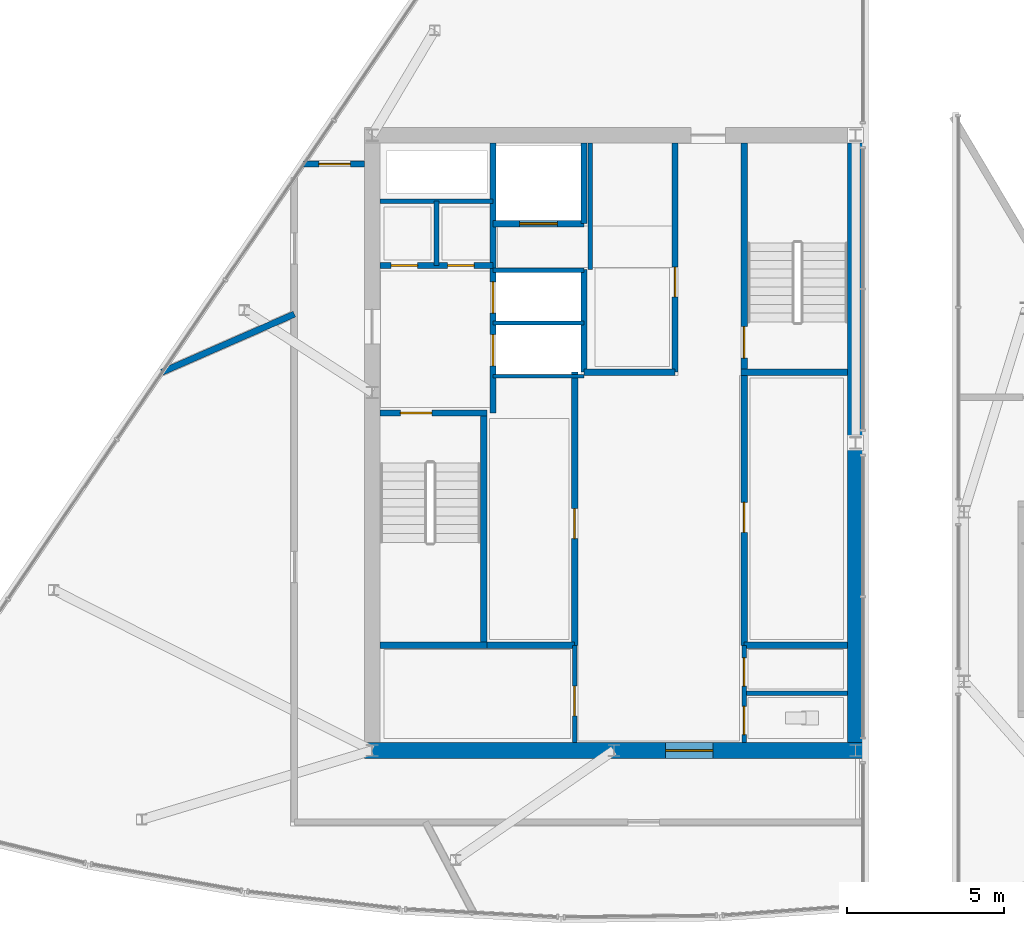
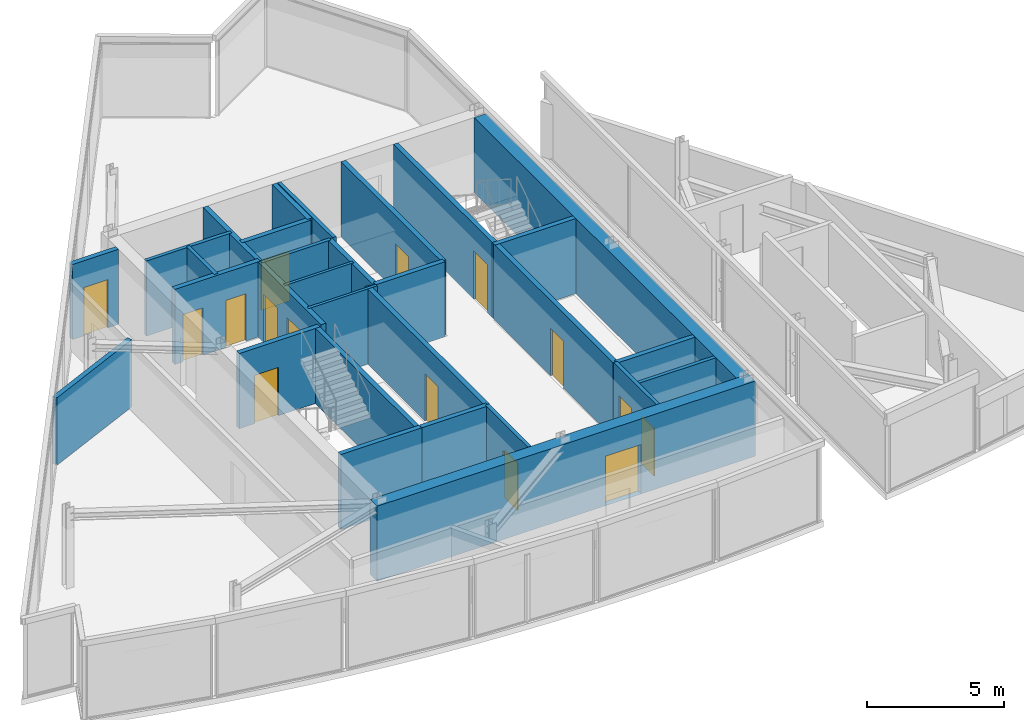
# One storey, part 8 of 13: 29 walls, 15 doors, 15 openings.
"""IFC4 building model written with IfcOpenShell, lengths in metres."""

from ifc_helpers import new_model, si_unit, direction, frame, frame_2d, origin, place, context, subcontext, project, spatial, rectangle, extrude, material, layer, layer_set, type_object, element, fill, save


model = new_model("IFC4")

# Units and contexts
model_context = context("Model", 3, precision=1e-05, world=origin(), true_north=direction((0.0, 1.0)))
body_context = subcontext(model_context, "Body", "Model", "MODEL_VIEW")
ifc_project = project(units=[si_unit("LENGTHUNIT", "METRE"), si_unit("AREAUNIT", "SQUARE_METRE"), si_unit("VOLUMEUNIT", "CUBIC_METRE"), si_unit("PLANEANGLEUNIT", "RADIAN"), si_unit("MASSUNIT", "GRAM", prefix="KILO")], contexts=[model_context])

# Site, building, storey
site_placement = place(None, origin())
site = spatial("IfcSite", under=ifc_project, at=site_placement, CompositionType="ELEMENT")
building_placement = place(site_placement, origin())
building = spatial("IfcBuilding", under=site, at=building_placement, Name="Savorim Split Tower", CompositionType="ELEMENT")
storey_placement = place(building_placement, frame((0.0, 0.0, 312.0)))
storey = spatial("IfcBuildingStorey", under=building, at=storey_placement, Name="Crown L83 Plant", CompositionType="ELEMENT", Elevation=312.0)

# Wall, opening, door
ifc_material_1 = material(Name="Concrete C60/75", Category="concrete")
ifc_layer_1 = layer(ifc_material_1, 0.5)
ifc_layer_set_1 = layer_set([ifc_layer_1], Name="WAL-COR-SH500")
wall_type_1 = type_object("IfcWallType", Name="WAL-COR-SH500", PredefinedType="SHEAR", material=ifc_layer_set_1)
wall_1_placement = place(storey_placement, frame((-7.949951171875, -9.39990234375, 0.0), z_axis=(0.0, 0.0, 1.0), x_axis=(1.0, 0.0, 0.0)))
wall_1 = element("IfcWall", 1, at=wall_1_placement, inside=storey, type_object=wall_type_1, Name="Crown L83 Plant Offset Core South Shear Wall", PredefinedType="SHEAR", context=body_context, shape_type="SweptSolid", body=[
    extrude(rectangle(XDim=15.89990234375, YDim=0.5, at=frame_2d((7.949951171875, 0.0))), origin(), (0.0, 0.0, 1.0), 3.340087890625),
])
opening_1_placement = place(wall_1_placement, frame((9.60009765625, 0.0, 0.0)))
opening_1 = element("IfcOpeningElement", 2, at=opening_1_placement, cuts=wall_1, Name="Opening DI-02", PredefinedType="OPENING", context=body_context, shape_type="SweptSolid", body=[
    extrude(rectangle(XDim=1.5, YDim=2.199951171875, at=frame_2d((0.75, 1.10009765625))), frame((0.0, 0.260009765625, 0.0), z_axis=(0.0, -1.0, 0.0), x_axis=(1.0, 0.0, 0.0)), (0.0, 0.0, 1.0), 0.52001953125),
])
ifc_material_2 = material(Name="Timber Fire Door Leaf", Category="wood")
door_type_1 = type_object("IfcDoorType", Name="DOR-DBL-1500", OperationType="NOTDEFINED", PredefinedType="DOOR", material=ifc_material_2)
door_1_placement = place(opening_1_placement, origin())
door_1 = element("IfcDoor", 3, at=door_1_placement, inside=storey, type_object=door_type_1, Name="DOR-Crown-L83-Plant-COR-LLOB - Crown L83 Plant Lift Lobby Main Rated Door", OperationType="DOUBLE_DOOR_SINGLE_SWING", OverallHeight=2.199951171875, OverallWidth=1.5, PredefinedType="DOOR", context=body_context, shape_type="SweptSolid", body=[
    extrude(rectangle(XDim=1.5, YDim=2.199951171875, at=frame_2d((0.75, 1.10009765625))), frame((0.0, 0.02490234375, 0.0), z_axis=(0.0, -1.0, 0.0), x_axis=(1.0, 0.0, 0.0)), (0.0, 0.0, 1.0), 0.050048828125),
])
fill(opening_1, door_1)

# Wall
wall_2_placement = place(storey_placement, frame((7.699951171875, 9.949951171875, 0.0), z_axis=(0.0, 0.0, 1.0), x_axis=(0.0, -1.0, 0.0)))
element("IfcWall", 4, at=wall_2_placement, inside=storey, type_object=wall_type_1, Name="Crown L83 Plant Offset Core East Shear Wall", PredefinedType="SHEAR", context=body_context, shape_type="SweptSolid", body=[
    extrude(rectangle(XDim=19.099853515625, YDim=0.5, at=frame_2d((9.5498046875, 0.0))), origin(), (0.0, 0.0, 1.0), 3.340087890625),
])

# Wall, opening, door
ifc_material_3 = material(Name="Concrete C50/60", Category="concrete")
ifc_layer_2 = layer(ifc_material_3, 0.199951171875)
ifc_layer_set_2 = layer_set([ifc_layer_2], Name="WAL-INT-RC200")
wall_type_2 = type_object("IfcWallType", Name="WAL-INT-RC200", PredefinedType="SOLIDWALL", material=ifc_layer_set_2)
wall_3_placement = place(storey_placement, frame((-7.449951171875, 1.35009765625, 0.0), z_axis=(0.0, 0.0, 1.0), x_axis=(1.0, 0.0, 0.0)))
wall_3 = element("IfcWall", 5, at=wall_3_placement, inside=storey, type_object=wall_type_2, Name="Crown L83 Plant Structural Shaft Wall W-Crown-L83-Plant-CR01", PredefinedType="SOLIDWALL", context=body_context, shape_type="SweptSolid", body=[
    extrude(rectangle(XDim=3.39990234375, YDim=0.199951171875, at=frame_2d((1.699951171875, 0.0))), origin(), (0.0, 0.0, 1.0), 3.340087890625),
])
opening_2_placement = place(wall_3_placement, frame((0.64990234375, 0.0, 0.0)))
opening_2 = element("IfcOpeningElement", 6, at=opening_2_placement, cuts=wall_3, Name="Opening DI-04", PredefinedType="OPENING", context=body_context, shape_type="SweptSolid", body=[
    extrude(rectangle(XDim=1.0, YDim=2.14990234375, at=frame_2d((0.5, 1.074951171875))), frame((0.0, 0.10986328125, 0.0), z_axis=(0.0, -1.0, 0.0), x_axis=(1.0, 0.0, 0.0)), (0.0, 0.0, 1.0), 0.219970703125),
])
door_type_2 = type_object("IfcDoorType", Name="DOR-FIR-1000", OperationType="NOTDEFINED", PredefinedType="DOOR", material=ifc_material_2)
door_2_placement = place(opening_2_placement, origin())
door_2 = element("IfcDoor", 7, at=door_2_placement, inside=storey, type_object=door_type_2, Name="DR-Crown-L83-Plant-ST1 - Crown L83 Plant Stair ST-1 Enclosure Door", OperationType="SINGLE_SWING_LEFT", OverallHeight=2.14990234375, OverallWidth=1.0, PredefinedType="DOOR", context=body_context, shape_type="SweptSolid", body=[
    extrude(rectangle(XDim=1.0, YDim=2.14990234375, at=frame_2d((0.5, 1.074951171875))), frame((0.0, 0.02490234375, 0.0), z_axis=(0.0, -1.0, 0.0), x_axis=(1.0, 0.0, 0.0)), (0.0, 0.0, 1.0), 0.050048828125),
])
fill(opening_2, door_2)

# Wall
wall_4_placement = place(storey_placement, frame((-4.14990234375, -5.949951171875, 0.0), z_axis=(0.0, 0.0, 1.0), x_axis=(0.0, 1.0, 0.0)))
element("IfcWall", 8, at=wall_4_placement, inside=storey, type_object=wall_type_2, Name="Crown L83 Plant Structural Shaft Wall W-Crown-L83-Plant-CR02", PredefinedType="SOLIDWALL", context=body_context, shape_type="SweptSolid", body=[
    extrude(rectangle(XDim=7.199951171875, YDim=0.199951171875, at=frame_2d((3.60009765625, 0.0))), origin(), (0.0, 0.0, 1.0), 3.340087890625),
])

# Wall, openings, doors
wall_5_placement = place(storey_placement, frame((-3.85009765625, 1.35009765625, 0.0), z_axis=(0.0, 0.0, 1.0), x_axis=(0.0, 1.0, 0.0)))
wall_5 = element("IfcWall", 9, at=wall_5_placement, inside=storey, type_object=wall_type_2, Name="Crown L83 Plant Partition W-Crown-L83-Plant-CR03", PredefinedType="SOLIDWALL", context=body_context, shape_type="SweptSolid", body=[
    extrude(rectangle(XDim=8.594970703125, YDim=0.199951171875, at=frame_2d((4.29736328125, 0.0))), origin(), (0.0, 0.0, 1.0), 3.340087890625),
])
opening_3_placement = place(wall_5_placement, frame((1.5, 0.0, 0.0)))
opening_3 = element("IfcOpeningElement", 10, at=opening_3_placement, cuts=wall_5, Name="Opening LD-FFL", PredefinedType="OPENING", context=body_context, shape_type="SweptSolid", body=[
    extrude(rectangle(XDim=1.0, YDim=2.14990234375, at=frame_2d((0.5, 1.074951171875))), frame((0.0, 0.10986328125, 0.0), z_axis=(0.0, -1.0, 0.0), x_axis=(1.0, 0.0, 0.0)), (0.0, 0.0, 1.0), 0.219970703125),
])
opening_4_placement = place(wall_5_placement, frame((3.179931640625, 0.0, 0.0)))
opening_4 = element("IfcOpeningElement", 11, at=opening_4_placement, cuts=wall_5, Name="Opening LD-FFL", PredefinedType="OPENING", context=body_context, shape_type="SweptSolid", body=[
    extrude(rectangle(XDim=1.0, YDim=2.14990234375, at=frame_2d((0.5, 1.074951171875))), frame((0.0, 0.10986328125, 0.0), z_axis=(0.0, -1.0, 0.0), x_axis=(1.0, 0.0, 0.0)), (0.0, 0.0, 1.0), 0.219970703125),
])
ifc_material_4 = material(Name="Charcoal Anodised Aluminium", Category="aluminium")
door_type_3 = type_object("IfcDoorType", Name="DOR-SLD-LD1000", OperationType="NOTDEFINED", PredefinedType="DOOR", material=ifc_material_4)
door_3_placement = place(opening_3_placement, origin())
door_3 = element("IfcDoor", 12, at=door_3_placement, inside=storey, type_object=door_type_3, Name="DR-Crown-L83-Plant-LD-FFL1 - Crown L83 Plant Firefighting Lift FFL-1 Sliding Landing Door", OperationType="DOUBLE_DOOR_SLIDING", OverallHeight=2.14990234375, OverallWidth=1.0, PredefinedType="DOOR", context=body_context, shape_type="SweptSolid", body=[
    extrude(rectangle(XDim=1.0, YDim=2.14990234375, at=frame_2d((0.5, 1.074951171875))), frame((0.0, 0.02490234375, 0.0), z_axis=(0.0, -1.0, 0.0), x_axis=(1.0, 0.0, 0.0)), (0.0, 0.0, 1.0), 0.050048828125),
])
fill(opening_3, door_3)
door_4_placement = place(opening_4_placement, origin())
door_4 = element("IfcDoor", 13, at=door_4_placement, inside=storey, type_object=door_type_3, Name="DR-Crown-L83-Plant-LD-FFL2 - Crown L83 Plant Firefighting Lift FFL-2 Sliding Landing Door", OperationType="DOUBLE_DOOR_SLIDING", OverallHeight=2.14990234375, OverallWidth=1.0, PredefinedType="DOOR", context=body_context, shape_type="SweptSolid", body=[
    extrude(rectangle(XDim=1.0, YDim=2.14990234375, at=frame_2d((0.5, 1.074951171875))), frame((0.0, 0.02490234375, 0.0), z_axis=(0.0, -1.0, 0.0), x_axis=(1.0, 0.0, 0.0)), (0.0, 0.0, 1.0), 0.050048828125),
])
fill(opening_4, door_4)

wall_6_placement = place(storey_placement, frame((-7.445068359375, 6.050048828125, 0.0), z_axis=(0.0, 0.0, 1.0), x_axis=(1.0, 0.0, 0.0)))
wall_6 = element("IfcWall", 14, at=wall_6_placement, inside=storey, type_object=wall_type_2, Name="Crown L83 Plant Partition W-Crown-L83-Plant-CR04", PredefinedType="SOLIDWALL", context=body_context, shape_type="SweptSolid", body=[
    extrude(rectangle(XDim=3.594970703125, YDim=0.199951171875, at=frame_2d((1.79736328125, 0.0))), origin(), (0.0, 0.0, 1.0), 3.340087890625),
])
opening_5_placement = place(wall_6_placement, frame((0.344970703125, 0.0, 0.0)))
opening_5 = element("IfcOpeningElement", 15, at=opening_5_placement, cuts=wall_6, Name="Opening DI-12", PredefinedType="OPENING", context=body_context, shape_type="SweptSolid", body=[
    extrude(rectangle(XDim=0.85009765625, YDim=2.10009765625, at=frame_2d((0.425048828125, 1.050048828125))), frame((0.0, 0.10986328125, 0.0), z_axis=(0.0, -1.0, 0.0), x_axis=(1.0, 0.0, 0.0)), (0.0, 0.0, 1.0), 0.219970703125),
])
opening_6_placement = place(wall_6_placement, frame((2.14501953125, 0.0, 0.0)))
opening_6 = element("IfcOpeningElement", 16, at=opening_6_placement, cuts=wall_6, Name="Opening DI-12", PredefinedType="OPENING", context=body_context, shape_type="SweptSolid", body=[
    extrude(rectangle(XDim=0.85009765625, YDim=2.10009765625, at=frame_2d((0.425048828125, 1.050048828125))), frame((0.0, 0.10986328125, 0.0), z_axis=(0.0, -1.0, 0.0), x_axis=(1.0, 0.0, 0.0)), (0.0, 0.0, 1.0), 0.219970703125),
])
ifc_material_5 = material(Name="Galvanised Painted Steel Balustrade", Category="steel")
door_type_4 = type_object("IfcDoorType", Name="DOR-RIS-850", OperationType="NOTDEFINED", PredefinedType="DOOR", material=ifc_material_5)
door_5_placement = place(opening_5_placement, origin())
door_5 = element("IfcDoor", 17, at=door_5_placement, inside=storey, type_object=door_type_4, Name="DR-Crown-L83-Plant-ELR - Crown L83 Plant Electrical Riser Access Door", OperationType="SINGLE_SWING_RIGHT", OverallHeight=2.10009765625, OverallWidth=0.85009765625, PredefinedType="DOOR", context=body_context, shape_type="SweptSolid", body=[
    extrude(rectangle(XDim=0.85009765625, YDim=2.10009765625, at=frame_2d((0.425048828125, 1.050048828125))), frame((0.0, 0.02490234375, 0.0), z_axis=(0.0, -1.0, 0.0), x_axis=(1.0, 0.0, 0.0)), (0.0, 0.0, 1.0), 0.050048828125),
])
fill(opening_5, door_5)
door_6_placement = place(opening_6_placement, origin())
door_6 = element("IfcDoor", 18, at=door_6_placement, inside=storey, type_object=door_type_4, Name="DR-Crown-L83-Plant-TLR - Crown L83 Plant Telecom Riser Access Door", OperationType="SINGLE_SWING_LEFT", OverallHeight=2.10009765625, OverallWidth=0.85009765625, PredefinedType="DOOR", context=body_context, shape_type="SweptSolid", body=[
    extrude(rectangle(XDim=0.85009765625, YDim=2.10009765625, at=frame_2d((0.425048828125, 1.050048828125))), frame((0.0, 0.02490234375, 0.0), z_axis=(0.0, -1.0, 0.0), x_axis=(1.0, 0.0, 0.0)), (0.0, 0.0, 1.0), 0.050048828125),
])
fill(opening_6, door_6)

# Wall, opening, door
wall_7_placement = place(storey_placement, frame((4.14990234375, 2.75, 0.0), z_axis=(0.0, 0.0, 1.0), x_axis=(0.0, 1.0, 0.0)))
wall_7 = element("IfcWall", 19, at=wall_7_placement, inside=storey, type_object=wall_type_2, Name="Crown L83 Plant Structural Shaft Wall W-Crown-L83-Plant-CR07", PredefinedType="SOLIDWALL", context=body_context, shape_type="SweptSolid", body=[
    extrude(rectangle(XDim=7.199951171875, YDim=0.199951171875, at=frame_2d((3.60009765625, 0.0))), origin(), (0.0, 0.0, 1.0), 3.340087890625),
])
opening_7_placement = place(wall_7_placement, frame((0.35009765625, 0.0, 0.0)))
opening_7 = element("IfcOpeningElement", 20, at=opening_7_placement, cuts=wall_7, Name="Opening DI-04", PredefinedType="OPENING", context=body_context, shape_type="SweptSolid", body=[
    extrude(rectangle(XDim=1.0, YDim=2.14990234375, at=frame_2d((0.5, 1.074951171875))), frame((0.0, 0.10986328125, 0.0), z_axis=(0.0, -1.0, 0.0), x_axis=(1.0, 0.0, 0.0)), (0.0, 0.0, 1.0), 0.219970703125),
])
door_7_placement = place(opening_7_placement, origin())
door_7 = element("IfcDoor", 21, at=door_7_placement, inside=storey, type_object=door_type_2, Name="DR-Crown-L83-Plant-ST2 - Crown L83 Plant Stair ST-2 Enclosure Door", OperationType="SINGLE_SWING_RIGHT", OverallHeight=2.14990234375, OverallWidth=1.0, PredefinedType="DOOR", context=body_context, shape_type="SweptSolid", body=[
    extrude(rectangle(XDim=1.0, YDim=2.14990234375, at=frame_2d((0.5, 1.074951171875))), frame((0.0, 0.02490234375, 0.0), z_axis=(0.0, -1.0, 0.0), x_axis=(1.0, 0.0, 0.0)), (0.0, 0.0, 1.0), 0.050048828125),
])
fill(opening_7, door_7)

# Walls
wall_8_placement = place(storey_placement, frame((4.050048828125, 2.64990234375, 0.0), z_axis=(0.0, 0.0, 1.0), x_axis=(1.0, 0.0, 0.0)))
element("IfcWall", 22, at=wall_8_placement, inside=storey, type_object=wall_type_2, Name="Crown L83 Plant Structural Shaft Wall W-Crown-L83-Plant-CR08", PredefinedType="SOLIDWALL", context=body_context, shape_type="SweptSolid", body=[
    extrude(rectangle(XDim=3.39990234375, YDim=0.199951171875, at=frame_2d((1.699951171875, 0.0))), origin(), (0.0, 0.0, 1.0), 3.340087890625),
])
wall_9_placement = place(storey_placement, frame((-0.949951171875, 2.64990234375, 0.0), z_axis=(0.0, 0.0, 1.0), x_axis=(0.0, 1.0, 0.0)))
element("IfcWall", 23, at=wall_9_placement, inside=storey, type_object=wall_type_2, Name="Crown L83 Plant Partition W-Crown-L83-Plant-FFLW", PredefinedType="SOLIDWALL", context=body_context, shape_type="SweptSolid", body=[
    extrude(rectangle(XDim=3.27001953125, YDim=0.199951171875, at=frame_2d((1.635009765625, 0.0))), origin(), (0.0, 0.0, 1.0), 3.340087890625),
])

# Wall, opening, door
wall_10_placement = place(storey_placement, frame((-3.85009765625, 7.3798828125, 0.0), z_axis=(0.0, 0.0, 1.0), x_axis=(1.0, 0.0, 0.0)))
wall_10 = element("IfcWall", 24, at=wall_10_placement, inside=storey, type_object=wall_type_2, Name="Crown L83 Plant Partition W-Crown-L83-Plant-SVLS", PredefinedType="SOLIDWALL", context=body_context, shape_type="SweptSolid", body=[
    extrude(rectangle(XDim=2.900146484375, YDim=0.199951171875, at=frame_2d((1.4501953125, 0.0))), origin(), (0.0, 0.0, 1.0), 3.340087890625),
])
opening_8_placement = place(wall_10_placement, frame((0.85009765625, 0.0, 0.0)))
opening_8 = element("IfcOpeningElement", 25, at=opening_8_placement, cuts=wall_10, Name="Opening LD-SV", PredefinedType="OPENING", context=body_context, shape_type="SweptSolid", body=[
    extrude(rectangle(XDim=1.199951171875, YDim=2.199951171875, at=frame_2d((0.60009765625, 1.10009765625))), frame((0.0, 0.10986328125, 0.0), z_axis=(0.0, -1.0, 0.0), x_axis=(1.0, 0.0, 0.0)), (0.0, 0.0, 1.0), 0.219970703125),
])
door_type_5 = type_object("IfcDoorType", Name="DOR-SLD-SV1200", OperationType="NOTDEFINED", PredefinedType="DOOR", material=ifc_material_4)
door_8_placement = place(opening_8_placement, origin())
door_8 = element("IfcDoor", 26, at=door_8_placement, inside=storey, type_object=door_type_5, Name="DR-Crown-L83-Plant-LD-SVL1 - Crown L83 Plant Service Lift SVL-1 Sliding Landing Door", OperationType="DOUBLE_DOOR_SLIDING", OverallHeight=2.199951171875, OverallWidth=1.199951171875, PredefinedType="DOOR", context=body_context, shape_type="SweptSolid", body=[
    extrude(rectangle(XDim=1.199951171875, YDim=2.199951171875, at=frame_2d((0.60009765625, 1.10009765625))), frame((0.0, 0.02490234375, 0.0), z_axis=(0.0, -1.0, 0.0), x_axis=(1.0, 0.0, 0.0)), (0.0, 0.0, 1.0), 0.050048828125),
])
fill(opening_8, door_8)

# Wall
wall_11_placement = place(storey_placement, frame((-0.949951171875, 7.3798828125, 0.0), z_axis=(0.0, 0.0, 1.0), x_axis=(0.0, 1.0, 0.0)))
element("IfcWall", 27, at=wall_11_placement, inside=storey, type_object=wall_type_2, Name="Crown L83 Plant Partition W-Crown-L83-Plant-SVLE", PredefinedType="SOLIDWALL", context=body_context, shape_type="SweptSolid", body=[
    extrude(rectangle(XDim=2.565185546875, YDim=0.199951171875, at=frame_2d((1.28271484375, 0.0))), origin(), (0.0, 0.0, 1.0), 3.340087890625),
])

# Wall, opening, door
wall_12_placement = place(storey_placement, frame((4.14990234375, -6.050048828125, 0.0), z_axis=(0.0, 0.0, 1.0), x_axis=(0.0, 1.0, 0.0)))
wall_12 = element("IfcWall", 28, at=wall_12_placement, inside=storey, type_object=wall_type_2, Name="Crown L83 Plant Partition W-Crown-L83-Plant-B1FRONT", PredefinedType="SOLIDWALL", context=body_context, shape_type="SweptSolid", body=[
    extrude(rectangle(XDim=8.699951171875, YDim=0.199951171875, at=frame_2d((4.35009765625, 0.0))), origin(), (0.0, 0.0, 1.0), 3.340087890625),
])
opening_9_placement = place(wall_12_placement, frame((3.60009765625, 0.0, 0.0)))
opening_9 = element("IfcOpeningElement", 29, at=opening_9_placement, cuts=wall_12, Name="Opening DI-05", PredefinedType="OPENING", context=body_context, shape_type="SweptSolid", body=[
    extrude(rectangle(XDim=0.949951171875, YDim=2.10009765625, at=frame_2d((0.47509765625, 1.050048828125))), frame((0.0, 0.10986328125, 0.0), z_axis=(0.0, -1.0, 0.0), x_axis=(1.0, 0.0, 0.0)), (0.0, 0.0, 1.0), 0.219970703125),
])
door_type_6 = type_object("IfcDoorType", Name="DOR-FIR-950", OperationType="NOTDEFINED", PredefinedType="DOOR", material=ifc_material_2)
door_9_placement = place(opening_9_placement, origin())
door_9 = element("IfcDoor", 30, at=door_9_placement, inside=storey, type_object=door_type_6, Name="DR-Crown-L83-Plant-B1SUB - Crown L83 Plant Core Store East Door", OperationType="SINGLE_SWING_RIGHT", OverallHeight=2.10009765625, OverallWidth=0.949951171875, PredefinedType="DOOR", context=body_context, shape_type="SweptSolid", body=[
    extrude(rectangle(XDim=0.949951171875, YDim=2.10009765625, at=frame_2d((0.47509765625, 1.050048828125))), frame((0.0, 0.02490234375, 0.0), z_axis=(0.0, -1.0, 0.0), x_axis=(1.0, 0.0, 0.0)), (0.0, 0.0, 1.0), 0.050048828125),
])
fill(opening_9, door_9)

wall_13_placement = place(storey_placement, frame((-1.25, -6.050048828125, 0.0), z_axis=(0.0, 0.0, 1.0), x_axis=(0.0, 1.0, 0.0)))
wall_13 = element("IfcWall", 31, at=wall_13_placement, inside=storey, type_object=wall_type_2, Name="Crown L83 Plant Partition W-Crown-L83-Plant-B2FRONT", PredefinedType="SOLIDWALL", context=body_context, shape_type="SweptSolid", body=[
    extrude(rectangle(XDim=8.699951171875, YDim=0.199951171875, at=frame_2d((4.35009765625, 0.0))), origin(), (0.0, 0.0, 1.0), 3.340087890625),
])
opening_10_placement = place(wall_13_placement, frame((3.39990234375, 0.0, 0.0)))
opening_10 = element("IfcOpeningElement", 32, at=opening_10_placement, cuts=wall_13, Name="Opening DI-05", PredefinedType="OPENING", context=body_context, shape_type="SweptSolid", body=[
    extrude(rectangle(XDim=0.949951171875, YDim=2.10009765625, at=frame_2d((0.47509765625, 1.050048828125))), frame((0.0, 0.10986328125, 0.0), z_axis=(0.0, -1.0, 0.0), x_axis=(1.0, 0.0, 0.0)), (0.0, 0.0, 1.0), 0.219970703125),
])
door_10_placement = place(opening_10_placement, origin())
door_10 = element("IfcDoor", 33, at=door_10_placement, inside=storey, type_object=door_type_6, Name="DR-Crown-L83-Plant-B2SUB - Crown L83 Plant Core Store West Door", OperationType="SINGLE_SWING_LEFT", OverallHeight=2.10009765625, OverallWidth=0.949951171875, PredefinedType="DOOR", context=body_context, shape_type="SweptSolid", body=[
    extrude(rectangle(XDim=0.949951171875, YDim=2.10009765625, at=frame_2d((0.47509765625, 1.050048828125))), frame((0.0, 0.02490234375, 0.0), z_axis=(0.0, -1.0, 0.0), x_axis=(1.0, 0.0, 0.0)), (0.0, 0.0, 1.0), 0.050048828125),
])
fill(opening_10, door_10)

wall_14_placement = place(storey_placement, frame((1.949951171875, 2.64990234375, 0.0), z_axis=(0.0, 0.0, 1.0), x_axis=(0.0, 1.0, 0.0)))
wall_14 = element("IfcWall", 34, at=wall_14_placement, inside=storey, type_object=wall_type_2, Name="Crown L83 Plant Partition W-Crown-L83-Plant-B3FRONT", PredefinedType="SOLIDWALL", context=body_context, shape_type="SweptSolid", body=[
    extrude(rectangle(XDim=7.295166015625, YDim=0.199951171875, at=frame_2d((3.6474609375, 0.0))), origin(), (0.0, 0.0, 1.0), 3.340087890625),
])
opening_11_placement = place(wall_14_placement, frame((2.39990234375, 0.0, 0.0)))
opening_11 = element("IfcOpeningElement", 35, at=opening_11_placement, cuts=wall_14, Name="Opening DI-05", PredefinedType="OPENING", context=body_context, shape_type="SweptSolid", body=[
    extrude(rectangle(XDim=0.949951171875, YDim=2.10009765625, at=frame_2d((0.47509765625, 1.050048828125))), frame((0.0, 0.10986328125, 0.0), z_axis=(0.0, -1.0, 0.0), x_axis=(1.0, 0.0, 0.0)), (0.0, 0.0, 1.0), 0.219970703125),
])
door_11_placement = place(opening_11_placement, origin())
door_11 = element("IfcDoor", 36, at=door_11_placement, inside=storey, type_object=door_type_6, Name="DR-Crown-L83-Plant-B3CRN - Crown L83 Plant Crown BMS Plant Room Door", OperationType="SINGLE_SWING_LEFT", OverallHeight=2.10009765625, OverallWidth=0.949951171875, PredefinedType="DOOR", context=body_context, shape_type="SweptSolid", body=[
    extrude(rectangle(XDim=0.949951171875, YDim=2.10009765625, at=frame_2d((0.47509765625, 1.050048828125))), frame((0.0, 0.02490234375, 0.0), z_axis=(0.0, -1.0, 0.0), x_axis=(1.0, 0.0, 0.0)), (0.0, 0.0, 1.0), 0.050048828125),
])
fill(opening_11, door_11)

# Walls
wall_15_placement = place(storey_placement, frame((-0.949951171875, 2.64990234375, 0.0), z_axis=(0.0, 0.0, 1.0), x_axis=(1.0, 0.0, 0.0)))
element("IfcWall", 37, at=wall_15_placement, inside=storey, type_object=wall_type_2, Name="Crown L83 Plant Partition W-Crown-L83-Plant-B3SOUTH", PredefinedType="SOLIDWALL", context=body_context, shape_type="SweptSolid", body=[
    extrude(rectangle(XDim=2.89990234375, YDim=0.199951171875, at=frame_2d((1.449951171875, 0.0))), origin(), (0.0, 0.0, 1.0), 3.340087890625),
])
wall_16_placement = place(storey_placement, frame((-7.449951171875, -6.050048828125, 0.0), z_axis=(0.0, 0.0, 1.0), x_axis=(1.0, 0.0, 0.0)))
element("IfcWall", 38, at=wall_16_placement, inside=storey, type_object=wall_type_2, Name="Crown L83 Plant Structural Shaft Wall W-Crown-L83-Plant-KSEP-W", PredefinedType="SOLIDWALL", context=body_context, shape_type="SweptSolid", body=[
    extrude(rectangle(XDim=3.39990234375, YDim=0.199951171875, at=frame_2d((1.699951171875, 0.0))), origin(), (0.0, 0.0, 1.0), 3.340087890625),
])
wall_17_placement = place(storey_placement, frame((-4.0400390625, -6.050048828125, 0.0), z_axis=(0.0, 0.0, 1.0), x_axis=(1.0, 0.0, 0.0)))
element("IfcWall", 39, at=wall_17_placement, inside=storey, type_object=wall_type_2, Name="Crown L83 Plant Partition W-Crown-L83-Plant-KSEP-W2", PredefinedType="SOLIDWALL", context=body_context, shape_type="SweptSolid", body=[
    extrude(rectangle(XDim=2.7900390625, YDim=0.199951171875, at=frame_2d((1.39501953125, 0.0))), origin(), (0.0, 0.0, 1.0), 3.340087890625),
])
wall_18_placement = place(storey_placement, frame((4.14990234375, -6.050048828125, 0.0), z_axis=(0.0, 0.0, 1.0), x_axis=(1.0, 0.0, 0.0)))
element("IfcWall", 40, at=wall_18_placement, inside=storey, type_object=wall_type_2, Name="Crown L83 Plant Partition W-Crown-L83-Plant-KSEP-E", PredefinedType="SOLIDWALL", context=body_context, shape_type="SweptSolid", body=[
    extrude(rectangle(XDim=3.295166015625, YDim=0.199951171875, at=frame_2d((1.6474609375, 0.0))), origin(), (0.0, 0.0, 1.0), 3.340087890625),
])

# Wall, opening, door
wall_19_placement = place(storey_placement, frame((-9.889892578125, 9.280029296875, 0.0), z_axis=(0.0, 0.0, 1.0), x_axis=(1.0, 0.0, 0.0)))
wall_19 = element("IfcWall", 41, at=wall_19_placement, inside=storey, type_object=wall_type_2, Name="Crown L83 Plant Partition W-Crown-L83-Plant-CWPC3", PredefinedType="SOLIDWALL", context=body_context, shape_type="SweptSolid", body=[
    extrude(rectangle(XDim=1.93994140625, YDim=0.199951171875, at=frame_2d((0.969970703125, 0.0))), origin(), (0.0, 0.0, 1.0), 3.340087890625),
])
opening_12_placement = place(wall_19_placement, frame((0.4951171875, 0.0, 0.0)))
opening_12 = element("IfcOpeningElement", 42, at=opening_12_placement, cuts=wall_19, Name="Opening DI-04", PredefinedType="OPENING", context=body_context, shape_type="SweptSolid", body=[
    extrude(rectangle(XDim=1.0, YDim=2.14990234375, at=frame_2d((0.5, 1.074951171875))), frame((0.0, 0.10986328125, 0.0), z_axis=(0.0, -1.0, 0.0), x_axis=(1.0, 0.0, 0.0)), (0.0, 0.0, 1.0), 0.219970703125),
])
door_12_placement = place(opening_12_placement, origin())
door_12 = element("IfcDoor", 43, at=door_12_placement, inside=storey, type_object=door_type_2, Name="DR-Crown-L83-Plant-RM03 - Crown L83 Plant Booster Pump Plant Room Entry Door", OperationType="SINGLE_SWING_RIGHT", OverallHeight=2.14990234375, OverallWidth=1.0, PredefinedType="DOOR", context=body_context, shape_type="SweptSolid", body=[
    extrude(rectangle(XDim=1.0, YDim=2.14990234375, at=frame_2d((0.5, 1.074951171875))), frame((0.0, 0.02490234375, 0.0), z_axis=(0.0, -1.0, 0.0), x_axis=(1.0, 0.0, 0.0)), (0.0, 0.0, 1.0), 0.050048828125),
])
fill(opening_12, door_12)

# Walls
wall_20_placement = place(storey_placement, frame((-14.401123046875, 2.648681640625, 0.0), z_axis=(0.0, 0.0, 1.0), x_axis=(0.915794703046, 0.401646687866, 0.0)))
element("IfcWall", 44, at=wall_20_placement, inside=storey, type_object=wall_type_2, Name="Crown L83 Plant Partition W-Crown-L83-Plant-CDIV1", PredefinedType="SOLIDWALL", context=body_context, shape_type="SweptSolid", body=[
    extrude(rectangle(XDim=4.609375, YDim=0.199951171875, at=frame_2d((2.3046875, 0.0))), origin(), (0.0, 0.0, 1.0), 2.9951171875),
])
ifc_material_6 = material(Name="Acoustic Gypsum Partition Board")
ifc_layer_3 = layer(ifc_material_6, 0.1201171875)
ifc_layer_set_3 = layer_set([ifc_layer_3], Name="WAL-PAR-120")
wall_type_3 = type_object("IfcWallType", Name="WAL-PAR-120", PredefinedType="PARTITIONING", material=ifc_layer_set_3)
for number, where, z_axis, x_axis, name in (
    (45, (-3.85009765625, 2.52001953125, 0.0), (0.0, 0.0, 1.0), (1.0, 0.0, 0.0), "Crown L83 Plant Partition W-Crown-L83-Plant-FFLD0"),
    (46, (-3.85009765625, 4.219970703125, 0.0), (0.0, 0.0, 1.0), (1.0, 0.0, 0.0), "Crown L83 Plant Partition W-Crown-L83-Plant-FFLD1"),
):
    element("IfcWall", number, at=place(storey_placement, frame(where, z_axis=z_axis, x_axis=x_axis)), inside=storey, type_object=wall_type_3, Name=name, PredefinedType="PARTITIONING", context=body_context, shape_type="SweptSolid", body=[
        extrude(rectangle(XDim=2.900146484375, YDim=0.1201171875, at=frame_2d((1.4501953125, 0.0))), origin(), (0.0, 0.0, 1.0), 3.340087890625),
    ])
ifc_layer_4 = layer(ifc_material_6, 0.14990234375)
ifc_layer_set_4 = layer_set([ifc_layer_4], Name="WAL-PAR-150")
wall_type_4 = type_object("IfcWallType", Name="WAL-PAR-150", PredefinedType="PARTITIONING", material=ifc_layer_set_4)
wall_21_placement = place(storey_placement, frame((-7.445068359375, 8.10009765625, 0.0), z_axis=(0.0, 0.0, 1.0), x_axis=(1.0, 0.0, 0.0)))
element("IfcWall", 47, at=wall_21_placement, inside=storey, type_object=wall_type_4, Name="Crown L83 Plant Partition W-Crown-L83-Plant-CR05", PredefinedType="PARTITIONING", context=body_context, shape_type="SweptSolid", body=[
    extrude(rectangle(XDim=3.594970703125, YDim=0.14990234375, at=frame_2d((1.79736328125, 0.0))), origin(), (0.0, 0.0, 1.0), 3.340087890625),
])
wall_22_placement = place(storey_placement, frame((-5.64990234375, 6.050048828125, 0.0), z_axis=(0.0, 0.0, 1.0), x_axis=(0.0, 1.0, 0.0)))
element("IfcWall", 48, at=wall_22_placement, inside=storey, type_object=wall_type_4, Name="Crown L83 Plant Partition W-Crown-L83-Plant-CR06", PredefinedType="PARTITIONING", context=body_context, shape_type="SweptSolid", body=[
    extrude(rectangle(XDim=2.050048828125, YDim=0.14990234375, at=frame_2d((1.02490234375, 0.0))), origin(), (0.0, 0.0, 1.0), 3.340087890625),
])
wall_23_placement = place(storey_placement, frame((-3.85009765625, 5.89990234375, 0.0), z_axis=(0.0, 0.0, 1.0), x_axis=(1.0, 0.0, 0.0)))
element("IfcWall", 49, at=wall_23_placement, inside=storey, type_object=wall_type_4, Name="Crown L83 Plant Partition W-Crown-L83-Plant-FFLD2", PredefinedType="PARTITIONING", context=body_context, shape_type="SweptSolid", body=[
    extrude(rectangle(XDim=2.900146484375, YDim=0.14990234375, at=frame_2d((1.4501953125, 0.0))), origin(), (0.0, 0.0, 1.0), 3.340087890625),
])
wall_24_placement = place(storey_placement, frame((-0.75, 5.919921875, 0.0), z_axis=(0.0, 0.0, 1.0), x_axis=(0.0, 1.0, 0.0)))
element("IfcWall", 50, at=wall_24_placement, inside=storey, type_object=wall_type_4, Name="Crown L83 Plant Partition W-Crown-L83-Plant-B3WEST", PredefinedType="PARTITIONING", context=body_context, shape_type="SweptSolid", body=[
    extrude(rectangle(XDim=4.025146484375, YDim=0.14990234375, at=frame_2d((2.0126953125, 0.0))), origin(), (0.0, 0.0, 1.0), 3.340087890625),
])

# Wall, opening, door
wall_25_placement = place(storey_placement, frame((-1.25, -9.14501953125, 0.0), z_axis=(0.0, 0.0, 1.0), x_axis=(0.0, 1.0, 0.0)))
wall_25 = element("IfcWall", 51, at=wall_25_placement, inside=storey, type_object=wall_type_4, Name="Crown L83 Plant Partition W-Crown-L83-Plant-KLOB-W", PredefinedType="PARTITIONING", context=body_context, shape_type="SweptSolid", body=[
    extrude(rectangle(XDim=3.094970703125, YDim=0.14990234375, at=frame_2d((1.54736328125, 0.0))), origin(), (0.0, 0.0, 1.0), 3.340087890625),
])
opening_13_placement = place(wall_25_placement, frame((0.844970703125, 0.0, 0.0)))
opening_13 = element("IfcOpeningElement", 52, at=opening_13_placement, cuts=wall_25, Name="Opening DI-05", PredefinedType="OPENING", context=body_context, shape_type="SweptSolid", body=[
    extrude(rectangle(XDim=0.949951171875, YDim=2.10009765625, at=frame_2d((0.47509765625, 1.050048828125))), frame((0.0, 0.0849609375, 0.0), z_axis=(0.0, -1.0, 0.0), x_axis=(1.0, 0.0, 0.0)), (0.0, 0.0, 1.0), 0.169921875),
])
door_13_placement = place(opening_13_placement, origin())
door_13 = element("IfcDoor", 53, at=door_13_placement, inside=storey, type_object=door_type_6, Name="DR-Crown-L83-Plant-K3LIN - Crown L83 Plant Housekeeping Store Door", OperationType="SINGLE_SWING_LEFT", OverallHeight=2.10009765625, OverallWidth=0.949951171875, PredefinedType="DOOR", context=body_context, shape_type="SweptSolid", body=[
    extrude(rectangle(XDim=0.949951171875, YDim=2.10009765625, at=frame_2d((0.47509765625, 1.050048828125))), frame((0.0, 0.02490234375, 0.0), z_axis=(0.0, -1.0, 0.0), x_axis=(1.0, 0.0, 0.0)), (0.0, 0.0, 1.0), 0.050048828125),
])
fill(opening_13, door_13)

# Wall, openings, doors
wall_26_placement = place(storey_placement, frame((4.14990234375, -9.14501953125, 0.0), z_axis=(0.0, 0.0, 1.0), x_axis=(0.0, 1.0, 0.0)))
wall_26 = element("IfcWall", 54, at=wall_26_placement, inside=storey, type_object=wall_type_4, Name="Crown L83 Plant Partition W-Crown-L83-Plant-KLOB-E", PredefinedType="PARTITIONING", context=body_context, shape_type="SweptSolid", body=[
    extrude(rectangle(XDim=3.094970703125, YDim=0.14990234375, at=frame_2d((1.54736328125, 0.0))), origin(), (0.0, 0.0, 1.0), 3.340087890625),
])
opening_14_placement = place(wall_26_placement, frame((0.2451171875, 0.0, 0.0)))
opening_14 = element("IfcOpeningElement", 55, at=opening_14_placement, cuts=wall_26, Name="Opening DI-11", PredefinedType="OPENING", context=body_context, shape_type="SweptSolid", body=[
    extrude(rectangle(XDim=0.89990234375, YDim=2.10009765625, at=frame_2d((0.449951171875, 1.050048828125))), frame((0.0, 0.0849609375, 0.0), z_axis=(0.0, -1.0, 0.0), x_axis=(1.0, 0.0, 0.0)), (0.0, 0.0, 1.0), 0.169921875),
])
opening_15_placement = place(wall_26_placement, frame((1.794921875, 0.0, 0.0)))
opening_15 = element("IfcOpeningElement", 56, at=opening_15_placement, cuts=wall_26, Name="Opening DI-06", PredefinedType="OPENING", context=body_context, shape_type="SweptSolid", body=[
    extrude(rectangle(XDim=0.89990234375, YDim=2.10009765625, at=frame_2d((0.449951171875, 1.050048828125))), frame((0.0, 0.0849609375, 0.0), z_axis=(0.0, -1.0, 0.0), x_axis=(1.0, 0.0, 0.0)), (0.0, 0.0, 1.0), 0.169921875),
])
door_type_7 = type_object("IfcDoorType", Name="DOR-FIR-900", OperationType="NOTDEFINED", PredefinedType="DOOR", material=ifc_material_2)
door_14_placement = place(opening_15_placement, origin())
door_14 = element("IfcDoor", 57, at=door_14_placement, inside=storey, type_object=door_type_7, Name="DR-Crown-L83-Plant-K3LCK - Crown L83 Plant Cleaning Store Door", OperationType="SINGLE_SWING_LEFT", OverallHeight=2.10009765625, OverallWidth=0.89990234375, PredefinedType="DOOR", context=body_context, shape_type="SweptSolid", body=[
    extrude(rectangle(XDim=0.89990234375, YDim=2.10009765625, at=frame_2d((0.449951171875, 1.050048828125))), frame((0.0, 0.02490234375, 0.0), z_axis=(0.0, -1.0, 0.0), x_axis=(1.0, 0.0, 0.0)), (0.0, 0.0, 1.0), 0.050048828125),
])
fill(opening_15, door_14)
ifc_material_7 = material(Name="Oak Veneer Acoustic Door")
door_type_8 = type_object("IfcDoorType", Name="DOR-WC-900", OperationType="NOTDEFINED", PredefinedType="DOOR", material=ifc_material_7)
door_15_placement = place(opening_14_placement, origin())
door_15 = element("IfcDoor", 58, at=door_15_placement, inside=storey, type_object=door_type_8, Name="DR-Crown-L83-Plant-K3AWC - Crown L83 Plant Core Accessible WC Door", OperationType="SINGLE_SWING_RIGHT", OverallHeight=2.10009765625, OverallWidth=0.89990234375, PredefinedType="DOOR", context=body_context, shape_type="SweptSolid", body=[
    extrude(rectangle(XDim=0.89990234375, YDim=2.10009765625, at=frame_2d((0.449951171875, 1.050048828125))), frame((0.0, 0.02490234375, 0.0), z_axis=(0.0, -1.0, 0.0), x_axis=(1.0, 0.0, 0.0)), (0.0, 0.0, 1.0), 0.050048828125),
])
fill(opening_14, door_15)

# Wall
wall_27_placement = place(storey_placement, frame((4.14990234375, -7.580078125, 0.0), z_axis=(0.0, 0.0, 1.0), x_axis=(1.0, 0.0, 0.0)))
element("IfcWall", 59, at=wall_27_placement, inside=storey, type_object=wall_type_4, Name="Crown L83 Plant Partition W-Crown-L83-Plant-K3H", PredefinedType="PARTITIONING", context=body_context, shape_type="SweptSolid", body=[
    extrude(rectangle(XDim=3.295166015625, YDim=0.14990234375, at=frame_2d((1.6474609375, 0.0))), origin(), (0.0, 0.0, 1.0), 3.340087890625),
])

save(model, "model.ifc")
